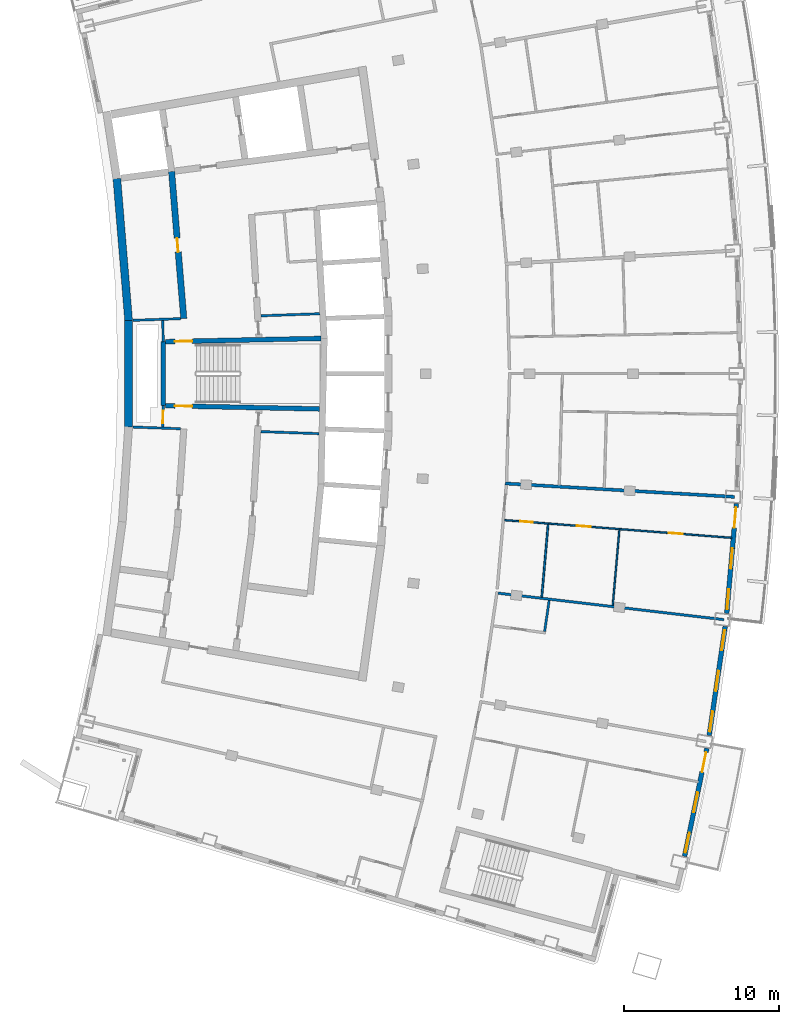
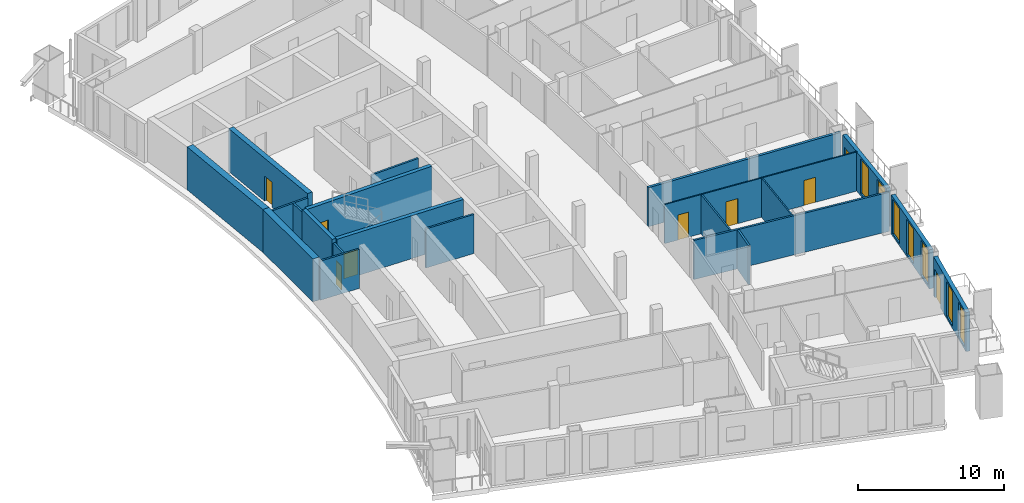
# One storey, part 9 of 16: 21 walls, 9 doors, 7 windows, 16 openings.
"""IFC4 building model written with IfcOpenShell, lengths in metres."""

import ifcopenshell
import ifcopenshell.guid

model = None  # the IFC model being written
_history = None  # IfcOwnerHistory: only IFC2X3 demands one
_inside = {}  # id of a spatial element -> (the spatial element, [elements in it])
_under = {}  # id of a project, library or spatial element -> (it, [spatial elements below it])
_declared = {}  # id of a project -> (the project, [libraries it declares])
_typed = {}  # id of a type object -> (the type object, [elements of that type])
_made_of = {}  # id of a material, layer set ... -> (it, [elements and type objects made of it])


def new_model(schema):
    """Start an empty IFC model of exactly this schema.

    Asked for "IFC4X3", IfcOpenShell would pick the latest addendum, in which some entities
    have other attributes; the version numbers below select the first issue.
    IFC2X3 requires an IfcOwnerHistory on every rooted entity: one is made here for all.
    """
    global model, _history
    if schema == "IFC4X3":
        model = ifcopenshell.file(schema_version=(4, 3, 0, 0))
    else:
        model = ifcopenshell.file(schema=schema)
    _inside.clear()
    _under.clear()
    _declared.clear()
    _typed.clear()
    _made_of.clear()
    _history = None
    if model.schema == "IFC2X3":
        org = make("IfcOrganization", Name="unknown")
        user = make(
            "IfcPersonAndOrganization",
            ThePerson=make("IfcPerson", FamilyName="unknown"),
            TheOrganization=org,
        )
        app = make(
            "IfcApplication",
            ApplicationDeveloper=org,
            Version="unknown",
            ApplicationFullName="unknown",
            ApplicationIdentifier="unknown",
        )
        _history = make(
            "IfcOwnerHistory",
            OwningUser=user,
            OwningApplication=app,
            ChangeAction="ADDED",
            CreationDate=0,
        )
    return model


def make(cls, **values):
    """One entity of the class cls with the attributes given. An attribute that is None is left unset."""
    return model.create_entity(
        cls, **{name: value for name, value in values.items() if value is not None}
    )


def rooted(cls, **values):
    """An entity with a GlobalId (a new one), such as an element, a storey or a relation."""
    return make(cls, GlobalId=ifcopenshell.guid.new(), OwnerHistory=_history, **values)


def si_unit(unit_type, name, prefix=None):
    """IfcSIUnit, for example si_unit("LENGTHUNIT", "METRE", prefix="MILLI")."""
    return make("IfcSIUnit", UnitType=unit_type, Prefix=prefix, Name=name)


def assignment(units):
    """IfcUnitAssignment: the units of a project."""
    return None if units is None else make("IfcUnitAssignment", Units=units)


def point(xyz):
    """IfcCartesianPoint."""
    return None if xyz is None else make("IfcCartesianPoint", Coordinates=xyz)


def direction(xyz):
    """IfcDirection."""
    return None if xyz is None else make("IfcDirection", DirectionRatios=xyz)


def frame(location, z_axis=None, x_axis=None):
    """IfcAxis2Placement3D, a coordinate frame: its origin and axes. An axis left out is left unset."""
    return make(
        "IfcAxis2Placement3D",
        Location=point(location),
        Axis=direction(z_axis),
        RefDirection=direction(x_axis),
    )


def frame_2d(location, x_axis=None):
    """IfcAxis2Placement2D, a coordinate frame in the plane: its origin and x axis."""
    return make(
        "IfcAxis2Placement2D", Location=point(location), RefDirection=direction(x_axis)
    )


def origin():
    """The frame at (0, 0, 0) with its axes left unset."""
    return frame((0.0, 0.0, 0.0))


def place(relative_to, where):
    """IfcLocalPlacement: puts the frame where relative to a parent placement (None: the world)."""
    return make(
        "IfcLocalPlacement", PlacementRelTo=relative_to, RelativePlacement=where
    )


def context(
    kind, dimensions, precision=None, world=None, true_north=None, identifier=None
):
    """IfcGeometricRepresentationContext, for example the 3D "Model" context."""
    return make(
        "IfcGeometricRepresentationContext",
        ContextIdentifier=identifier,
        ContextType=kind,
        CoordinateSpaceDimension=dimensions,
        Precision=precision,
        WorldCoordinateSystem=world,
        TrueNorth=true_north,
    )


def subcontext(parent, identifier, kind, view, scale=None):
    """IfcGeometricRepresentationSubContext, for example "Body" below "Model"."""
    return make(
        "IfcGeometricRepresentationSubContext",
        ContextIdentifier=identifier,
        ContextType=kind,
        ParentContext=parent,
        TargetScale=scale,
        TargetView=view,
    )


def project(units=None, contexts=None):
    """IfcProject with its units and contexts."""
    return rooted(
        "IfcProject",
        Name="project",
        RepresentationContexts=contexts,
        UnitsInContext=assignment(units),
    )


def spatial(cls, under=None, at=None, **own):
    """A site, building, storey or space (cls), placed at a placement, below another one or the project."""
    s = rooted(cls, ObjectPlacement=at, **own)
    if under is not None:
        _under.setdefault(under.id(), (under, []))[1].append(s)
    return s


def profile(cls, at=None, kind="AREA", **sizes):
    """A parametric profile (cls). Its sizes go by their IFC names, for example OverallWidth=200.0."""
    return make(cls, ProfileType=kind, Position=at, **sizes)


def rectangle(**sizes):
    """IfcRectangleProfileDef."""
    return profile("IfcRectangleProfileDef", **sizes)


def extrude(swept, where, along, depth):
    """IfcExtrudedAreaSolid: the profile swept, set in the frame where, extruded along a direction by depth."""
    return make(
        "IfcExtrudedAreaSolid",
        SweptArea=swept,
        Position=where,
        ExtrudedDirection=direction(along),
        Depth=depth,
    )


def shape(context_of_items, identifier, shape_type, items):
    """IfcShapeRepresentation: the items that make up one representation, for example the "Body"."""
    return make(
        "IfcShapeRepresentation",
        ContextOfItems=context_of_items,
        RepresentationIdentifier=identifier,
        RepresentationType=shape_type,
        Items=items,
    )


def material(Name=None, Category=None):
    """IfcMaterial."""
    return make("IfcMaterial", Name=Name, Category=Category)


def layer(
    of_material, thickness, ventilated=None, Name=None, Category=None, Priority=None
):
    """IfcMaterialLayer: one layer of a wall or slab, of a material (None: an air gap)."""
    return make(
        "IfcMaterialLayer",
        Material=of_material,
        LayerThickness=thickness,
        IsVentilated=ventilated,
        Name=Name,
        Category=Category,
        Priority=Priority,
    )


def layer_set(layers, Name=None):
    """IfcMaterialLayerSet."""
    return make("IfcMaterialLayerSet", MaterialLayers=layers, LayerSetName=Name)


def made_of(thing, what):
    """Note that an element or type object is made of a material, layer set ...; save() writes the relation."""
    if what is not None:
        _made_of.setdefault(what.id(), (what, []))[1].append(thing)
    return thing


def type_object(cls, material=None, **own):
    """A type object (cls), such as IfcWallType, which elements share."""
    return made_of(rooted(cls, **own), material)


def element(
    cls,
    number,
    at=None,
    inside=None,
    cuts=None,
    type_object=None,
    material=None,
    context=None,
    identifier="Body",
    shape_type=None,
    held_by="IfcProductDefinitionShape",
    body=None,
    shapes=None,
    **own,
):
    """One element of the class cls, such as IfcWall. Its Tag is "e" and its number.

    at: its placement. inside: the storey or other place that contains it. cuts: it is an
    opening in that element (IfcRelVoidsElement). A single representation is given by context,
    identifier, shape_type and body (its items); several are given by shapes. held_by: the class
    of the entity that holds the representations. save() writes the other relations.
    """
    e = rooted(cls, Tag="e%d" % number, ObjectPlacement=at, **own)
    if body is not None:
        shapes = [shape(context, identifier, shape_type, body)]
    if shapes is not None:
        e.Representation = make(held_by, Representations=shapes)
    if inside is not None:
        _inside.setdefault(inside.id(), (inside, []))[1].append(e)
    if cuts is not None:
        rooted(
            "IfcRelVoidsElement", RelatingBuildingElement=cuts, RelatedOpeningElement=e
        )
    if type_object is not None:
        _typed.setdefault(type_object.id(), (type_object, []))[1].append(e)
    return made_of(e, material)


def fill(opening, filler):
    """IfcRelFillsElement: the door or window that sits in an opening."""
    return rooted(
        "IfcRelFillsElement",
        RelatingOpeningElement=opening,
        RelatedBuildingElement=filler,
    )


def aggregate(whole, parts):
    """IfcRelAggregates: a whole, such as a stair, and the parts it consists of."""
    return rooted("IfcRelAggregates", RelatingObject=whole, RelatedObjects=parts)


def save(model, path):
    """Write the relations noted so far, then the file.

    IfcRelAggregates (storeys below a building ...), IfcRelContainedInSpatialStructure (elements
    in a storey), IfcRelDefinesByType, IfcRelAssociatesMaterial and IfcRelDeclares: one each for
    every whole, place, type object, material and project.
    """
    for whole, parts in _under.values():
        aggregate(whole, parts)
    for where, things in _inside.values():
        rooted(
            "IfcRelContainedInSpatialStructure",
            RelatedElements=things,
            RelatingStructure=where,
        )
    for kind, things in _typed.values():
        rooted("IfcRelDefinesByType", RelatedObjects=things, RelatingType=kind)
    for what, things in _made_of.values():
        rooted("IfcRelAssociatesMaterial", RelatedObjects=things, RelatingMaterial=what)
    for by, libraries in _declared.values():
        rooted("IfcRelDeclares", RelatingContext=by, RelatedDefinitions=libraries)
    model.write(path)


model = new_model("IFC4")

# Units and contexts
model_context = context("Model", 3, precision=1e-05, world=origin(), true_north=direction((0.0, 1.0)))
body_context = subcontext(model_context, "Body", "Model", "MODEL_VIEW")
ifc_project = project(units=[si_unit("LENGTHUNIT", "METRE"), si_unit("AREAUNIT", "SQUARE_METRE"), si_unit("VOLUMEUNIT", "CUBIC_METRE"), si_unit("PLANEANGLEUNIT", "RADIAN"), si_unit("MASSUNIT", "GRAM", prefix="KILO")], contexts=[model_context])

# Site, building, storey
site_placement = place(None, origin())
site = spatial("IfcSite", under=ifc_project, at=site_placement, CompositionType="ELEMENT")
building_placement = place(site_placement, origin())
building = spatial("IfcBuilding", under=site, at=building_placement, Name="Alderwake Tower", CompositionType="ELEMENT")
storey_placement = place(building_placement, frame((0.0, 0.0, 281.60009765625)))
storey = spatial("IfcBuildingStorey", under=building, at=storey_placement, Name="L70", CompositionType="ELEMENT", Elevation=281.60009765625)

# Walls
ifc_material_1 = material(Name="Gypsum shaft wall system, rated")
ifc_layer_1 = layer(ifc_material_1, 0.14990234375)
ifc_layer_set_1 = layer_set([ifc_layer_1], Name="Core riser partition 150")
wall_type_1 = type_object("IfcWallType", Name="Core riser partition 150", PredefinedType="PARTITIONING", material=ifc_layer_set_1)
wall_1_placement = place(storey_placement, frame((25.1904296875, 57.276611328125, 0.0), z_axis=(0.0, 0.0, 1.0), x_axis=(0.99937350076, -0.035392173974, 0.0)))
element("IfcWall", 1, at=wall_1_placement, inside=storey, type_object=wall_type_1, Name="CW/L70/PR-37_+86", PredefinedType="PARTITIONING", context=body_context, shape_type="SweptSolid", body=[
    extrude(rectangle(XDim=3.752685546875, YDim=0.14990234375, at=frame_2d((1.87646484375, 0.0))), origin(), (0.0, 0.0, 1.0), 3.27978515625),
])
wall_2_placement = place(storey_placement, frame((25.191162109375, 64.723388671875, 0.0), z_axis=(0.0, 0.0, 1.0), x_axis=(0.999373627871, 0.035388584556, 0.0)))
element("IfcWall", 2, at=wall_2_placement, inside=storey, type_object=wall_type_1, Name="CW/L70/PR+37_+86", PredefinedType="PARTITIONING", context=body_context, shape_type="SweptSolid", body=[
    extrude(rectangle(XDim=3.79443359375, YDim=0.14990234375, at=frame_2d((1.897216796875, 0.0))), origin(), (0.0, 0.0, 1.0), 3.27978515625),
])

# Wall, opening, door
ifc_material_2 = material(Name="Gypsum shaft wall system, rated")
ifc_layer_2 = layer(ifc_material_2, 0.14990234375)
ifc_layer_set_2 = layer_set([ifc_layer_2], Name="Core room partition 150")
wall_type_2 = type_object("IfcWallType", Name="Core room partition 150", PredefinedType="PARTITIONING", material=ifc_layer_set_2)
wall_3_placement = place(storey_placement, frame((18.918701171875, 58.94384765625, 0.0), z_axis=(0.0, 0.0, 1.0), x_axis=(-0.027811602725, -0.999613182563, 0.0)))
wall_3 = element("IfcWall", 3, at=wall_3_placement, inside=storey, type_object=wall_type_2, Name="CW/L70/PA+24_-37", PredefinedType="PARTITIONING", context=body_context, shape_type="SweptSolid", body=[
    extrude(rectangle(XDim=1.369384765625, YDim=0.14990234375, at=frame_2d((0.6845703125, 0.0))), origin(), (0.0, 0.0, 1.0), 3.27978515625),
])
opening_1_placement = place(wall_3_placement, frame((0.322998046875, 0.0, 0.0)))
opening_1 = element("IfcOpeningElement", 4, at=opening_1_placement, cuts=wall_3, Name="Opening C004", PredefinedType="OPENING", context=body_context, shape_type="SweptSolid", body=[
    extrude(rectangle(XDim=0.800048828125, YDim=2.0, at=frame_2d((0.39990234375, 1.0))), frame((0.0, 0.0849609375, 0.0), z_axis=(0.0, -1.0, 0.0), x_axis=(1.0, 0.0, 0.0)), (0.0, 0.0, 1.0), 0.169921875),
])
ifc_material_3 = material(Name="Painted steel leaf, rated", Category="steel")
door_type_1 = type_object("IfcDoorType", Name="Riser access door 800", OperationType="SINGLE_SWING_LEFT", PredefinedType="DOOR", material=ifc_material_3)
door_1_placement = place(opening_1_placement, origin())
door_1 = element("IfcDoor", 5, at=door_1_placement, inside=storey, type_object=door_type_1, Name="Riser access door", OperationType="SINGLE_SWING_RIGHT", OverallHeight=2.0, OverallWidth=0.800048828125, PredefinedType="DOOR", context=body_context, shape_type="SweptSolid", body=[
    extrude(rectangle(XDim=0.800048828125, YDim=2.0, at=frame_2d((0.39990234375, 1.0))), frame((0.0, 0.02490234375, 0.0), z_axis=(0.0, -1.0, 0.0), x_axis=(1.0, 0.0, 0.0)), (0.0, 0.0, 1.0), 0.050048828125),
])
fill(opening_1, door_1)

# Walls
wall_4_placement = place(storey_placement, frame((18.918701171875, 63.05517578125, 0.0), z_axis=(0.0, 0.0, 1.0), x_axis=(-0.027791791559, 0.99961373356, 0.0)))
element("IfcWall", 6, at=wall_4_placement, inside=storey, type_object=wall_type_2, Name="CW/L70/PA+24_+22", PredefinedType="PARTITIONING", context=body_context, shape_type="SweptSolid", body=[
    extrude(rectangle(XDim=1.370361328125, YDim=0.14990234375, at=frame_2d((0.68505859375, 0.0))), origin(), (0.0, 0.0, 1.0), 3.27978515625),
])
for number, where, z_axis, x_axis, name in (
    (7, (16.969482421875, 57.5673828125, 0.0), (0.0, 0.0, 1.0), (0.999376258731, -0.035314210814, 0.0), "CW/L70/PR-37_+0"),
    (8, (16.969482421875, 64.4326171875, 0.0), (0.0, 0.0, 1.0), (0.999376258731, 0.035314210814, 0.0), "CW/L70/PR+37_+0"),
):
    element("IfcWall", number, at=place(storey_placement, frame(where, z_axis=z_axis, x_axis=x_axis)), inside=storey, type_object=wall_type_2, Name=name, PredefinedType="PARTITIONING", context=body_context, shape_type="SweptSolid", body=[
        extrude(rectangle(XDim=3.069580078125, YDim=0.14990234375, at=frame_2d((1.53466796875, 0.0))), origin(), (0.0, 0.0, 1.0), 3.27978515625),
    ])
ifc_material_4 = material(Name="Concrete C70/85", Category="concrete")
ifc_layer_3 = layer(ifc_material_4, 0.5)
ifc_layer_set_3 = layer_set([ifc_layer_3], Name="Core wall outer 500 C70-85")
wall_type_3 = type_object("IfcWallType", Name="Core wall outer 500 C70-85", PredefinedType="SHEAR", material=ifc_layer_set_3)
wall_5_placement = place(storey_placement, frame((16.689453125, 57.568603515625, 0.0), z_axis=(0.0, 0.0, 1.0), x_axis=(0.0, 1.0, 0.0)))
element("IfcWall", 9, at=wall_5_placement, inside=storey, type_object=wall_type_3, Name="Core wall CW.029", PredefinedType="SHEAR", context=body_context, shape_type="SweptSolid", body=[
    extrude(rectangle(XDim=6.86474609375, YDim=0.5, at=frame_2d((3.432373046875, 0.0))), origin(), (0.0, 0.0, 1.0), 3.599853515625),
])
wall_6_placement = place(storey_placement, frame((16.690185546875, 64.41162109375, 0.0), z_axis=(0.0, 0.0, 1.0), x_axis=(-0.082611702064, 0.996581811334, 0.0)))
element("IfcWall", 10, at=wall_6_placement, inside=storey, type_object=wall_type_3, Name="Core wall CW.026", PredefinedType="SHEAR", context=body_context, shape_type="SweptSolid", body=[
    extrude(rectangle(XDim=9.176025390625, YDim=0.5, at=frame_2d((4.587890625, 0.0))), origin(), (0.0, 0.0, 1.0), 3.599853515625),
])

# Wall, opening, door
ifc_material_5 = material(Name="Concrete C70/85", Category="concrete")
ifc_layer_4 = layer(ifc_material_5, 0.39990234375)
ifc_layer_set_4 = layer_set([ifc_layer_4], Name="Core wall spine 400 C70-85")
wall_type_4 = type_object("IfcWallType", Name="Core wall spine 400 C70-85", PredefinedType="SHEAR", material=ifc_layer_set_4)
wall_7_placement = place(storey_placement, frame((19.452392578125, 74.014892578125, 0.0), z_axis=(0.0, 0.0, 1.0), x_axis=(0.082628585297, -0.996580411654, 0.0)))
wall_7 = element("IfcWall", 11, at=wall_7_placement, inside=storey, type_object=wall_type_4, Name="Core wall CW.031", PredefinedType="SHEAR", context=body_context, shape_type="SweptSolid", body=[
    extrude(rectangle(XDim=9.499267578125, YDim=0.39990234375, at=frame_2d((4.74951171875, 0.0))), origin(), (0.0, 0.0, 1.0), 3.599853515625),
])
opening_2_placement = place(wall_7_placement, frame((4.30322265625, 0.0, 0.0)))
opening_2 = element("IfcOpeningElement", 12, at=opening_2_placement, cuts=wall_7, Name="Opening C051", PredefinedType="OPENING", context=body_context, shape_type="SweptSolid", body=[
    extrude(rectangle(XDim=0.89990234375, YDim=2.10009765625, at=frame_2d((0.449951171875, 1.050048828125))), frame((0.0, 0.2099609375, 0.0), z_axis=(0.0, -1.0, 0.0), x_axis=(1.0, 0.0, 0.0)), (0.0, 0.0, 1.0), 0.419921875),
])
ifc_material_6 = material(Name="Painted steel leaf", Category="steel")
door_type_2 = type_object("IfcDoorType", Name="Core room door 900", OperationType="SINGLE_SWING_LEFT", PredefinedType="DOOR", material=ifc_material_6)
door_2_placement = place(opening_2_placement, origin())
door_2 = element("IfcDoor", 13, at=door_2_placement, inside=storey, type_object=door_type_2, Name="Room door", OperationType="SINGLE_SWING_RIGHT", OverallHeight=2.10009765625, OverallWidth=0.89990234375, PredefinedType="DOOR", context=body_context, shape_type="SweptSolid", body=[
    extrude(rectangle(XDim=0.89990234375, YDim=2.10009765625, at=frame_2d((0.449951171875, 1.050048828125))), frame((0.0, 0.02490234375, 0.0), z_axis=(0.0, -1.0, 0.0), x_axis=(1.0, 0.0, 0.0)), (0.0, 0.0, 1.0), 0.050048828125),
])
fill(opening_2, door_2)

# Wall
ifc_material_7 = material(Name="Concrete C70/85", Category="concrete")
ifc_layer_5 = layer(ifc_material_7, 0.300048828125)
ifc_layer_set_5 = layer_set([ifc_layer_5], Name="Core wall stair enclosure 300 C70-85")
wall_type_5 = type_object("IfcWallType", Name="Core wall stair enclosure 300 C70-85", PredefinedType="SHEAR", material=ifc_layer_set_5)
wall_8_placement = place(storey_placement, frame((18.918701171875, 58.940673828125, 0.0), z_axis=(0.0, 0.0, 1.0), x_axis=(0.0, 1.0, 0.0)))
element("IfcWall", 14, at=wall_8_placement, inside=storey, type_object=wall_type_5, Name="Core wall CW.024", PredefinedType="SHEAR", context=body_context, shape_type="SweptSolid", body=[
    extrude(rectangle(XDim=4.11962890625, YDim=0.300048828125, at=frame_2d((2.059814453125, 0.0))), origin(), (0.0, 0.0, 1.0), 3.599853515625),
])

# Wall, opening, door
wall_9_placement = place(storey_placement, frame((28.975830078125, 58.733154296875, 0.0), z_axis=(0.0, 0.0, 1.0), x_axis=(-0.999783782948, 0.020793925895, 0.0)))
wall_9 = element("IfcWall", 15, at=wall_9_placement, inside=storey, type_object=wall_type_5, Name="Core wall CW.074", PredefinedType="SHEAR", context=body_context, shape_type="SweptSolid", body=[
    extrude(rectangle(XDim=9.909423828125, YDim=0.300048828125, at=frame_2d((4.95458984375, 0.0))), origin(), (0.0, 0.0, 1.0), 3.599853515625),
])
opening_3_placement = place(wall_9_placement, frame((8.20947265625, 0.0, 0.0)))
opening_3 = element("IfcOpeningElement", 16, at=opening_3_placement, cuts=wall_9, Name="Opening C063", PredefinedType="OPENING", context=body_context, shape_type="SweptSolid", body=[
    extrude(rectangle(XDim=1.10009765625, YDim=2.10009765625, at=frame_2d((0.550048828125, 1.050048828125))), frame((0.0, 0.159912109375, 0.0), z_axis=(0.0, -1.0, 0.0), x_axis=(1.0, 0.0, 0.0)), (0.0, 0.0, 1.0), 0.320068359375),
])
ifc_material_8 = material(Name="Steel-framed fire door leaf", Category="steel")
door_type_3 = type_object("IfcDoorType", Name="Core stair door 1100 fire-rated", OperationType="SINGLE_SWING_LEFT", PredefinedType="DOOR", material=ifc_material_8)
door_3_placement = place(opening_3_placement, origin())
door_3 = element("IfcDoor", 17, at=door_3_placement, inside=storey, type_object=door_type_3, Name="Stair door", OperationType="SINGLE_SWING_LEFT", OverallHeight=2.10009765625, OverallWidth=1.10009765625, PredefinedType="DOOR", context=body_context, shape_type="SweptSolid", body=[
    extrude(rectangle(XDim=1.10009765625, YDim=2.10009765625, at=frame_2d((0.550048828125, 1.050048828125))), frame((0.0, 0.02490234375, 0.0), z_axis=(0.0, -1.0, 0.0), x_axis=(1.0, 0.0, 0.0)), (0.0, 0.0, 1.0), 0.050048828125),
])
fill(opening_3, door_3)

wall_10_placement = place(storey_placement, frame((19.068603515625, 63.060791015625, 0.0), z_axis=(0.0, 0.0, 1.0), x_axis=(0.999783553773, 0.02080494185, 0.0)))
wall_10 = element("IfcWall", 18, at=wall_10_placement, inside=storey, type_object=wall_type_5, Name="Core wall CW.057", PredefinedType="SHEAR", context=body_context, shape_type="SweptSolid", body=[
    extrude(rectangle(XDim=10.009765625, YDim=0.300048828125, at=frame_2d((5.0048828125, 0.0))), origin(), (0.0, 0.0, 1.0), 3.599853515625),
])
opening_4_placement = place(wall_10_placement, frame((0.60009765625, 0.0, 0.0)))
opening_4 = element("IfcOpeningElement", 19, at=opening_4_placement, cuts=wall_10, Name="Opening C064", PredefinedType="OPENING", context=body_context, shape_type="SweptSolid", body=[
    extrude(rectangle(XDim=1.10009765625, YDim=2.10009765625, at=frame_2d((0.550048828125, 1.050048828125))), frame((0.0, 0.159912109375, 0.0), z_axis=(0.0, -1.0, 0.0), x_axis=(1.0, 0.0, 0.0)), (0.0, 0.0, 1.0), 0.320068359375),
])
door_4_placement = place(opening_4_placement, origin())
door_4 = element("IfcDoor", 20, at=door_4_placement, inside=storey, type_object=door_type_3, Name="Stair door", OperationType="SINGLE_SWING_RIGHT", OverallHeight=2.10009765625, OverallWidth=1.10009765625, PredefinedType="DOOR", context=body_context, shape_type="SweptSolid", body=[
    extrude(rectangle(XDim=1.10009765625, YDim=2.10009765625, at=frame_2d((0.550048828125, 1.050048828125))), frame((0.0, 0.02490234375, 0.0), z_axis=(0.0, -1.0, 0.0), x_axis=(1.0, 0.0, 0.0)), (0.0, 0.0, 1.0), 0.050048828125),
])
fill(opening_4, door_4)

# Wall
ifc_material_9 = material(Name="Gypsum board on metal studs, rated")
ifc_layer_6 = layer(ifc_material_9, 0.159912109375)
ifc_layer_set_6 = layer_set([ifc_layer_6], Name="Corridor wall 160")
wall_type_6 = type_object("IfcWallType", Name="Corridor wall 160", PredefinedType="PARTITIONING", material=ifc_layer_set_6)
wall_11_placement = place(storey_placement, frame((54.97509765625, 45.179931640625, 0.0), z_axis=(0.0, 0.0, 1.0), x_axis=(-0.993183966039, 0.116557323249, 0.0)))
element("IfcWall", 21, at=wall_11_placement, inside=storey, type_object=wall_type_6, Name="WL/L70/W27", PredefinedType="PARTITIONING", context=body_context, shape_type="SweptSolid", body=[
    extrude(rectangle(XDim=14.6181640625, YDim=0.159912109375, at=frame_2d((7.30908203125, 0.0))), origin(), (0.0, 0.0, 1.0), 3.27978515625),
])

# Wall, openings, door, windows
ifc_material_10 = material(Name="Precast concrete C50/60 spandrel panel", Category="concrete")
ifc_layer_7 = layer(ifc_material_10, 0.300048828125)
ifc_layer_set_7 = layer_set([ifc_layer_7], Name="External wall EW1 Precast concrete C50/60 spandrel")
wall_type_7 = type_object("IfcWallType", Name="External wall EW1 Precast concrete C50/60 spandrel", PredefinedType="SOLIDWALL", material=ifc_layer_set_7)
wall_12_placement = place(storey_placement, frame((52.448486328125, 29.955078125, 0.0), z_axis=(0.0, 0.0, 1.0), x_axis=(0.202764970436, 0.979227433625, 0.0)))
wall_12 = element("IfcWall", 22, at=wall_12_placement, inside=storey, type_object=wall_type_7, Name="External wall 12", PredefinedType="SOLIDWALL", context=body_context, shape_type="SweptSolid", body=[
    extrude(rectangle(XDim=7.091796875, YDim=0.300048828125, at=frame_2d((3.5458984375, 0.0))), origin(), (0.0, 0.0, 1.0), 3.27978515625),
])
opening_5_placement = place(wall_12_placement, frame((0.255615234375, 0.0, 0.199951171875)))
opening_5 = element("IfcOpeningElement", 23, at=opening_5_placement, cuts=wall_12, Name="Opening W1", PredefinedType="OPENING", context=body_context, shape_type="SweptSolid", body=[
    extrude(rectangle(XDim=1.300048828125, YDim=2.89990234375, at=frame_2d((0.64990234375, 1.449951171875))), frame((0.0, 0.159912109375, 0.0), z_axis=(0.0, -1.0, 0.0), x_axis=(1.0, 0.0, 0.0)), (0.0, 0.0, 1.0), 0.320068359375),
])
opening_6_placement = place(wall_12_placement, frame((2.895751953125, 0.0, 0.199951171875)))
opening_6 = element("IfcOpeningElement", 24, at=opening_6_placement, cuts=wall_12, Name="Opening W1", PredefinedType="OPENING", context=body_context, shape_type="SweptSolid", body=[
    extrude(rectangle(XDim=1.300048828125, YDim=2.89990234375, at=frame_2d((0.64990234375, 1.449951171875))), frame((0.0, 0.159912109375, 0.0), z_axis=(0.0, -1.0, 0.0), x_axis=(1.0, 0.0, 0.0)), (0.0, 0.0, 1.0), 0.320068359375),
])
opening_7_placement = place(wall_12_placement, frame((5.535888671875, 0.0, 0.0)))
opening_7 = element("IfcOpeningElement", 25, at=opening_7_placement, cuts=wall_12, Name="Opening D02", PredefinedType="OPENING", context=body_context, shape_type="SweptSolid", body=[
    extrude(rectangle(XDim=1.300048828125, YDim=2.39990234375, at=frame_2d((0.64990234375, 1.199951171875))), frame((0.0, 0.159912109375, 0.0), z_axis=(0.0, -1.0, 0.0), x_axis=(1.0, 0.0, 0.0)), (0.0, 0.0, 1.0), 0.320068359375),
])
ifc_material_11 = material(Name="Bronze tinted glass in aluminium frame", Category="aluminium")
door_type_4 = type_object("IfcDoorType", Name="Balcony door BD sliding", OperationType="SLIDING_TO_LEFT", PredefinedType="DOOR", material=ifc_material_11)
door_5_placement = place(opening_7_placement, origin())
door_5 = element("IfcDoor", 26, at=door_5_placement, inside=storey, type_object=door_type_4, Name="Door D02", OperationType="SLIDING_TO_LEFT", OverallHeight=2.39990234375, OverallWidth=1.300048828125, PredefinedType="DOOR", context=body_context, shape_type="SweptSolid", body=[
    extrude(rectangle(XDim=1.300048828125, YDim=2.39990234375, at=frame_2d((0.64990234375, 1.199951171875))), frame((0.0, 0.02490234375, 0.0), z_axis=(0.0, -1.0, 0.0), x_axis=(1.0, 0.0, 0.0)), (0.0, 0.0, 1.0), 0.050048828125),
])
fill(opening_7, door_5)
ifc_material_12 = material(Name="Bronze tinted glass in aluminium frame", Category="aluminium")
window_type = type_object("IfcWindowType", Name="Window W1 tall fixed and vent", PartitioningType="DOUBLE_PANEL_VERTICAL", PredefinedType="WINDOW", material=ifc_material_12)
window_1_placement = place(opening_5_placement, origin())
window_1 = element("IfcWindow", 27, at=window_1_placement, inside=storey, type_object=window_type, Name="Window W1 tall fixed and vent", OverallHeight=2.89990234375, OverallWidth=1.300048828125, PartitioningType="DOUBLE_PANEL_VERTICAL", PredefinedType="WINDOW", context=body_context, shape_type="SweptSolid", body=[
    extrude(rectangle(XDim=1.300048828125, YDim=2.89990234375, at=frame_2d((0.64990234375, 1.449951171875))), frame((0.0, 0.030029296875, 0.0), z_axis=(0.0, -1.0, 0.0), x_axis=(1.0, 0.0, 0.0)), (0.0, 0.0, 1.0), 0.06005859375),
])
fill(opening_5, window_1)
window_2_placement = place(opening_6_placement, origin())
window_2 = element("IfcWindow", 28, at=window_2_placement, inside=storey, type_object=window_type, Name="Window W1 tall fixed and vent", OverallHeight=2.89990234375, OverallWidth=1.300048828125, PartitioningType="DOUBLE_PANEL_VERTICAL", PredefinedType="WINDOW", context=body_context, shape_type="SweptSolid", body=[
    extrude(rectangle(XDim=1.300048828125, YDim=2.89990234375, at=frame_2d((0.64990234375, 1.449951171875))), frame((0.0, 0.030029296875, 0.0), z_axis=(0.0, -1.0, 0.0), x_axis=(1.0, 0.0, 0.0)), (0.0, 0.0, 1.0), 0.06005859375),
])
fill(opening_6, window_2)

# Wall, openings, windows
wall_13_placement = place(storey_placement, frame((54.033203125, 37.729736328125, 0.0), z_axis=(0.0, 0.0, 1.0), x_axis=(0.145309647342, 0.989386227107, 0.0)))
wall_13 = element("IfcWall", 29, at=wall_13_placement, inside=storey, type_object=wall_type_7, Name="External wall 13", PredefinedType="SOLIDWALL", context=body_context, shape_type="SweptSolid", body=[
    extrude(rectangle(XDim=7.091796875, YDim=0.300048828125, at=frame_2d((3.5458984375, 0.0))), origin(), (0.0, 0.0, 1.0), 3.27978515625),
])
opening_8_placement = place(wall_13_placement, frame((0.255615234375, 0.0, 0.199951171875)))
opening_8 = element("IfcOpeningElement", 30, at=opening_8_placement, cuts=wall_13, Name="Opening W1", PredefinedType="OPENING", context=body_context, shape_type="SweptSolid", body=[
    extrude(rectangle(XDim=1.300048828125, YDim=2.89990234375, at=frame_2d((0.64990234375, 1.449951171875))), frame((0.0, 0.159912109375, 0.0), z_axis=(0.0, -1.0, 0.0), x_axis=(1.0, 0.0, 0.0)), (0.0, 0.0, 1.0), 0.320068359375),
])
opening_9_placement = place(wall_13_placement, frame((2.89599609375, 0.0, 0.199951171875)))
opening_9 = element("IfcOpeningElement", 31, at=opening_9_placement, cuts=wall_13, Name="Opening W1", PredefinedType="OPENING", context=body_context, shape_type="SweptSolid", body=[
    extrude(rectangle(XDim=1.300048828125, YDim=2.89990234375, at=frame_2d((0.64990234375, 1.449951171875))), frame((0.0, 0.159912109375, 0.0), z_axis=(0.0, -1.0, 0.0), x_axis=(1.0, 0.0, 0.0)), (0.0, 0.0, 1.0), 0.320068359375),
])
opening_10_placement = place(wall_13_placement, frame((5.5361328125, 0.0, 0.199951171875)))
opening_10 = element("IfcOpeningElement", 32, at=opening_10_placement, cuts=wall_13, Name="Opening W1", PredefinedType="OPENING", context=body_context, shape_type="SweptSolid", body=[
    extrude(rectangle(XDim=1.300048828125, YDim=2.89990234375, at=frame_2d((0.64990234375, 1.449951171875))), frame((0.0, 0.159912109375, 0.0), z_axis=(0.0, -1.0, 0.0), x_axis=(1.0, 0.0, 0.0)), (0.0, 0.0, 1.0), 0.320068359375),
])
window_3_placement = place(opening_8_placement, origin())
window_3 = element("IfcWindow", 33, at=window_3_placement, inside=storey, type_object=window_type, Name="Window W1 tall fixed and vent", OverallHeight=2.89990234375, OverallWidth=1.300048828125, PartitioningType="DOUBLE_PANEL_VERTICAL", PredefinedType="WINDOW", context=body_context, shape_type="SweptSolid", body=[
    extrude(rectangle(XDim=1.300048828125, YDim=2.89990234375, at=frame_2d((0.64990234375, 1.449951171875))), frame((0.0, 0.030029296875, 0.0), z_axis=(0.0, -1.0, 0.0), x_axis=(1.0, 0.0, 0.0)), (0.0, 0.0, 1.0), 0.06005859375),
])
fill(opening_8, window_3)
window_4_placement = place(opening_9_placement, origin())
window_4 = element("IfcWindow", 34, at=window_4_placement, inside=storey, type_object=window_type, Name="Window W1 tall fixed and vent", OverallHeight=2.89990234375, OverallWidth=1.300048828125, PartitioningType="DOUBLE_PANEL_VERTICAL", PredefinedType="WINDOW", context=body_context, shape_type="SweptSolid", body=[
    extrude(rectangle(XDim=1.300048828125, YDim=2.89990234375, at=frame_2d((0.64990234375, 1.449951171875))), frame((0.0, 0.030029296875, 0.0), z_axis=(0.0, -1.0, 0.0), x_axis=(1.0, 0.0, 0.0)), (0.0, 0.0, 1.0), 0.06005859375),
])
fill(opening_9, window_4)
window_5_placement = place(opening_10_placement, origin())
window_5 = element("IfcWindow", 35, at=window_5_placement, inside=storey, type_object=window_type, Name="Window W1 tall fixed and vent", OverallHeight=2.89990234375, OverallWidth=1.300048828125, PartitioningType="DOUBLE_PANEL_VERTICAL", PredefinedType="WINDOW", context=body_context, shape_type="SweptSolid", body=[
    extrude(rectangle(XDim=1.300048828125, YDim=2.89990234375, at=frame_2d((0.64990234375, 1.449951171875))), frame((0.0, 0.030029296875, 0.0), z_axis=(0.0, -1.0, 0.0), x_axis=(1.0, 0.0, 0.0)), (0.0, 0.0, 1.0), 0.06005859375),
])
fill(opening_10, window_5)

# Wall, openings, door, windows
wall_14_placement = place(storey_placement, frame((55.162109375, 45.58349609375, 0.0), z_axis=(0.0, 0.0, 1.0), x_axis=(0.087372360108, 0.996175722796, 0.0)))
wall_14 = element("IfcWall", 36, at=wall_14_placement, inside=storey, type_object=wall_type_7, Name="External wall 14", PredefinedType="SOLIDWALL", context=body_context, shape_type="SweptSolid", body=[
    extrude(rectangle(XDim=7.091796875, YDim=0.300048828125, at=frame_2d((3.5458984375, 0.0))), origin(), (0.0, 0.0, 1.0), 3.27978515625),
])
opening_11_placement = place(wall_14_placement, frame((0.255615234375, 0.0, 0.199951171875)))
opening_11 = element("IfcOpeningElement", 37, at=opening_11_placement, cuts=wall_14, Name="Opening W1", PredefinedType="OPENING", context=body_context, shape_type="SweptSolid", body=[
    extrude(rectangle(XDim=1.300048828125, YDim=2.89990234375, at=frame_2d((0.64990234375, 1.449951171875))), frame((0.0, 0.159912109375, 0.0), z_axis=(0.0, -1.0, 0.0), x_axis=(1.0, 0.0, 0.0)), (0.0, 0.0, 1.0), 0.320068359375),
])
opening_12_placement = place(wall_14_placement, frame((2.895751953125, 0.0, 0.199951171875)))
opening_12 = element("IfcOpeningElement", 38, at=opening_12_placement, cuts=wall_14, Name="Opening W1", PredefinedType="OPENING", context=body_context, shape_type="SweptSolid", body=[
    extrude(rectangle(XDim=1.300048828125, YDim=2.89990234375, at=frame_2d((0.64990234375, 1.449951171875))), frame((0.0, 0.159912109375, 0.0), z_axis=(0.0, -1.0, 0.0), x_axis=(1.0, 0.0, 0.0)), (0.0, 0.0, 1.0), 0.320068359375),
])
opening_13_placement = place(wall_14_placement, frame((5.535888671875, 0.0, 0.0)))
opening_13 = element("IfcOpeningElement", 39, at=opening_13_placement, cuts=wall_14, Name="Opening D03", PredefinedType="OPENING", context=body_context, shape_type="SweptSolid", body=[
    extrude(rectangle(XDim=1.300048828125, YDim=2.39990234375, at=frame_2d((0.64990234375, 1.199951171875))), frame((0.0, 0.159912109375, 0.0), z_axis=(0.0, -1.0, 0.0), x_axis=(1.0, 0.0, 0.0)), (0.0, 0.0, 1.0), 0.320068359375),
])
door_6_placement = place(opening_13_placement, origin())
door_6 = element("IfcDoor", 40, at=door_6_placement, inside=storey, type_object=door_type_4, Name="Door D03", OperationType="SLIDING_TO_LEFT", OverallHeight=2.39990234375, OverallWidth=1.300048828125, PredefinedType="DOOR", context=body_context, shape_type="SweptSolid", body=[
    extrude(rectangle(XDim=1.300048828125, YDim=2.39990234375, at=frame_2d((0.64990234375, 1.199951171875))), frame((0.0, 0.02490234375, 0.0), z_axis=(0.0, -1.0, 0.0), x_axis=(1.0, 0.0, 0.0)), (0.0, 0.0, 1.0), 0.050048828125),
])
fill(opening_13, door_6)
window_6_placement = place(opening_11_placement, origin())
window_6 = element("IfcWindow", 41, at=window_6_placement, inside=storey, type_object=window_type, Name="Window W1 tall fixed and vent", OverallHeight=2.89990234375, OverallWidth=1.300048828125, PartitioningType="DOUBLE_PANEL_VERTICAL", PredefinedType="WINDOW", context=body_context, shape_type="SweptSolid", body=[
    extrude(rectangle(XDim=1.300048828125, YDim=2.89990234375, at=frame_2d((0.64990234375, 1.449951171875))), frame((0.0, 0.030029296875, 0.0), z_axis=(0.0, -1.0, 0.0), x_axis=(1.0, 0.0, 0.0)), (0.0, 0.0, 1.0), 0.06005859375),
])
fill(opening_11, window_6)
window_7_placement = place(opening_12_placement, origin())
window_7 = element("IfcWindow", 42, at=window_7_placement, inside=storey, type_object=window_type, Name="Window W1 tall fixed and vent", OverallHeight=2.89990234375, OverallWidth=1.300048828125, PartitioningType="DOUBLE_PANEL_VERTICAL", PredefinedType="WINDOW", context=body_context, shape_type="SweptSolid", body=[
    extrude(rectangle(XDim=1.300048828125, YDim=2.89990234375, at=frame_2d((0.64990234375, 1.449951171875))), frame((0.0, 0.030029296875, 0.0), z_axis=(0.0, -1.0, 0.0), x_axis=(1.0, 0.0, 0.0)), (0.0, 0.0, 1.0), 0.06005859375),
])
fill(opening_12, window_7)

# Walls
ifc_material_13 = material(Name="Dense block masonry wall", Category="masonry")
ifc_layer_8 = layer(ifc_material_13, 0.199951171875)
ifc_layer_set_8 = layer_set([ifc_layer_8], Name="Party wall 200")
wall_type_8 = type_object("IfcWallType", Name="Party wall 200", PredefinedType="SOLIDWALL", material=ifc_layer_set_8)
wall_15_placement = place(storey_placement, frame((55.66796875, 53.075927734375, 0.0), z_axis=(0.0, 0.0, 1.0), x_axis=(-0.998294254035, 0.058383065694, 0.0)))
element("IfcWall", 43, at=wall_15_placement, inside=storey, type_object=wall_type_8, Name="WL/L70/W02", PredefinedType="SOLIDWALL", context=body_context, shape_type="SweptSolid", body=[
    extrude(rectangle(XDim=14.778076171875, YDim=0.199951171875, at=frame_2d((7.38916015625, 0.0))), origin(), (0.0, 0.0, 1.0), 3.27978515625),
])
ifc_material_14 = material(Name="Gypsum shaft wall system, rated")
ifc_layer_9 = layer(ifc_material_14, 0.14990234375)
ifc_layer_set_9 = layer_set([ifc_layer_9], Name="Riser and shaft wall 150")
wall_type_9 = type_object("IfcWallType", Name="Riser and shaft wall 150", PredefinedType="PARTITIONING", material=ifc_layer_set_9)
wall_16_placement = place(storey_placement, frame((43.44775390625, 44.414306640625, 0.0), z_axis=(0.0, 0.0, 1.0), x_axis=(0.144577466262, 0.989493484693, 0.0)))
element("IfcWall", 44, at=wall_16_placement, inside=storey, type_object=wall_type_9, Name="WL/L70/W07", PredefinedType="PARTITIONING", context=body_context, shape_type="SweptSolid", body=[
    extrude(rectangle(XDim=2.024658203125, YDim=0.14990234375, at=frame_2d((1.01220703125, 0.0))), origin(), (0.0, 0.0, 1.0), 3.27978515625),
])

# Wall, openings, doors
ifc_material_15 = material(Name="Gypsum board on metal studs")
ifc_layer_10 = layer(ifc_material_15, 0.10009765625)
ifc_layer_set_10 = layer_set([ifc_layer_10], Name="Unit partition 100")
wall_type_10 = type_object("IfcWallType", Name="Unit partition 100", PredefinedType="PARTITIONING", material=ifc_layer_set_10)
wall_17_placement = place(storey_placement, frame((55.485107421875, 50.44189453125, 0.0), z_axis=(0.0, 0.0, 1.0), x_axis=(-0.996973122139, 0.077746985357, 0.0)))
wall_17 = element("IfcWall", 45, at=wall_17_placement, inside=storey, type_object=wall_type_10, Name="WL/L70/W45", PredefinedType="PARTITIONING", context=body_context, shape_type="SweptSolid", body=[
    extrude(rectangle(XDim=14.66162109375, YDim=0.10009765625, at=frame_2d((7.330810546875, 0.0))), origin(), (0.0, 0.0, 1.0), 3.27978515625),
])
opening_14_placement = place(wall_17_placement, frame((9.093994140625, 0.0, 0.0)))
opening_14 = element("IfcOpeningElement", 46, at=opening_14_placement, cuts=wall_17, Name="Opening R20-U04.1", PredefinedType="OPENING", context=body_context, shape_type="SweptSolid", body=[
    extrude(rectangle(XDim=0.89990234375, YDim=2.10009765625, at=frame_2d((0.449951171875, 1.050048828125))), frame((0.0, 0.06005859375, 0.0), z_axis=(0.0, -1.0, 0.0), x_axis=(1.0, 0.0, 0.0)), (0.0, 0.0, 1.0), 0.1201171875),
])
opening_15_placement = place(wall_17_placement, frame((12.85205078125, 0.0, 0.0)))
opening_15 = element("IfcOpeningElement", 47, at=opening_15_placement, cuts=wall_17, Name="Opening R20-U04.3", PredefinedType="OPENING", context=body_context, shape_type="SweptSolid", body=[
    extrude(rectangle(XDim=0.800048828125, YDim=2.10009765625, at=frame_2d((0.39990234375, 1.050048828125))), frame((0.0, 0.06005859375, 0.0), z_axis=(0.0, -1.0, 0.0), x_axis=(1.0, 0.0, 0.0)), (0.0, 0.0, 1.0), 0.1201171875),
])
opening_16_placement = place(wall_17_placement, frame((3.1728515625, 0.0, 0.0)))
opening_16 = element("IfcOpeningElement", 48, at=opening_16_placement, cuts=wall_17, Name="Opening R20-U04.4", PredefinedType="OPENING", context=body_context, shape_type="SweptSolid", body=[
    extrude(rectangle(XDim=0.89990234375, YDim=2.10009765625, at=frame_2d((0.449951171875, 1.050048828125))), frame((0.0, 0.06005859375, 0.0), z_axis=(0.0, -1.0, 0.0), x_axis=(1.0, 0.0, 0.0)), (0.0, 0.0, 1.0), 0.1201171875),
])
ifc_material_16 = material(Name="Painted timber leaf", Category="wood")
door_type_5 = type_object("IfcDoorType", Name="Bathroom door 800", OperationType="SINGLE_SWING_LEFT", PredefinedType="DOOR", material=ifc_material_16)
door_7_placement = place(opening_15_placement, origin())
door_7 = element("IfcDoor", 49, at=door_7_placement, inside=storey, type_object=door_type_5, Name="DR/L70/U04.3", OperationType="SINGLE_SWING_LEFT", OverallHeight=2.10009765625, OverallWidth=0.800048828125, PredefinedType="DOOR", context=body_context, shape_type="SweptSolid", body=[
    extrude(rectangle(XDim=0.800048828125, YDim=2.10009765625, at=frame_2d((0.39990234375, 1.050048828125))), frame((0.0, 0.02490234375, 0.0), z_axis=(0.0, -1.0, 0.0), x_axis=(1.0, 0.0, 0.0)), (0.0, 0.0, 1.0), 0.050048828125),
])
fill(opening_15, door_7)
ifc_material_17 = material(Name="Painted timber leaf", Category="wood")
door_type_6 = type_object("IfcDoorType", Name="Room door 900", OperationType="SINGLE_SWING_LEFT", PredefinedType="DOOR", material=ifc_material_17)
door_8_placement = place(opening_14_placement, origin())
door_8 = element("IfcDoor", 50, at=door_8_placement, inside=storey, type_object=door_type_6, Name="DR/L70/U04.1", OperationType="SINGLE_SWING_LEFT", OverallHeight=2.10009765625, OverallWidth=0.89990234375, PredefinedType="DOOR", context=body_context, shape_type="SweptSolid", body=[
    extrude(rectangle(XDim=0.89990234375, YDim=2.10009765625, at=frame_2d((0.449951171875, 1.050048828125))), frame((0.0, 0.02490234375, 0.0), z_axis=(0.0, -1.0, 0.0), x_axis=(1.0, 0.0, 0.0)), (0.0, 0.0, 1.0), 0.050048828125),
])
fill(opening_14, door_8)
door_9_placement = place(opening_16_placement, origin())
door_9 = element("IfcDoor", 51, at=door_9_placement, inside=storey, type_object=door_type_6, Name="DR/L70/U04.4", OperationType="SINGLE_SWING_LEFT", OverallHeight=2.10009765625, OverallWidth=0.89990234375, PredefinedType="DOOR", context=body_context, shape_type="SweptSolid", body=[
    extrude(rectangle(XDim=0.89990234375, YDim=2.10009765625, at=frame_2d((0.449951171875, 1.050048828125))), frame((0.0, 0.02490234375, 0.0), z_axis=(0.0, -1.0, 0.0), x_axis=(1.0, 0.0, 0.0)), (0.0, 0.0, 1.0), 0.050048828125),
])
fill(opening_16, door_9)

# Walls
wall_18_placement = place(storey_placement, frame((47.830078125, 46.099609375, 0.0), z_axis=(0.0, 0.0, 1.0), x_axis=(0.08753990397, 0.996161013699, 0.0)))
element("IfcWall", 52, at=wall_18_placement, inside=storey, type_object=wall_type_10, Name="WL/L70/W52", PredefinedType="PARTITIONING", context=body_context, shape_type="SweptSolid", body=[
    extrude(rectangle(XDim=4.872314453125, YDim=0.10009765625, at=frame_2d((2.43603515625, 0.0))), origin(), (0.0, 0.0, 1.0), 3.27978515625),
])
ifc_material_18 = material(Name="Moisture resistant gypsum board on metal studs")
ifc_layer_11 = layer(ifc_material_18, 0.1201171875)
ifc_layer_set_11 = layer_set([ifc_layer_11], Name="Wet room partition 120")
wall_type_11 = type_object("IfcWallType", Name="Wet room partition 120", PredefinedType="PARTITIONING", material=ifc_layer_set_11)
wall_19_placement = place(storey_placement, frame((43.263916015625, 46.6337890625, 0.0), z_axis=(0.0, 0.0, 1.0), x_axis=(0.087060499394, 0.996203026218, 0.0)))
element("IfcWall", 53, at=wall_19_placement, inside=storey, type_object=wall_type_11, Name="WL/L70/W36", PredefinedType="PARTITIONING", context=body_context, shape_type="SweptSolid", body=[
    extrude(rectangle(XDim=4.6943359375, YDim=0.1201171875, at=frame_2d((2.34716796875, 0.0))), origin(), (0.0, 0.0, 1.0), 3.27978515625),
])

save(model, "model.ifc")
